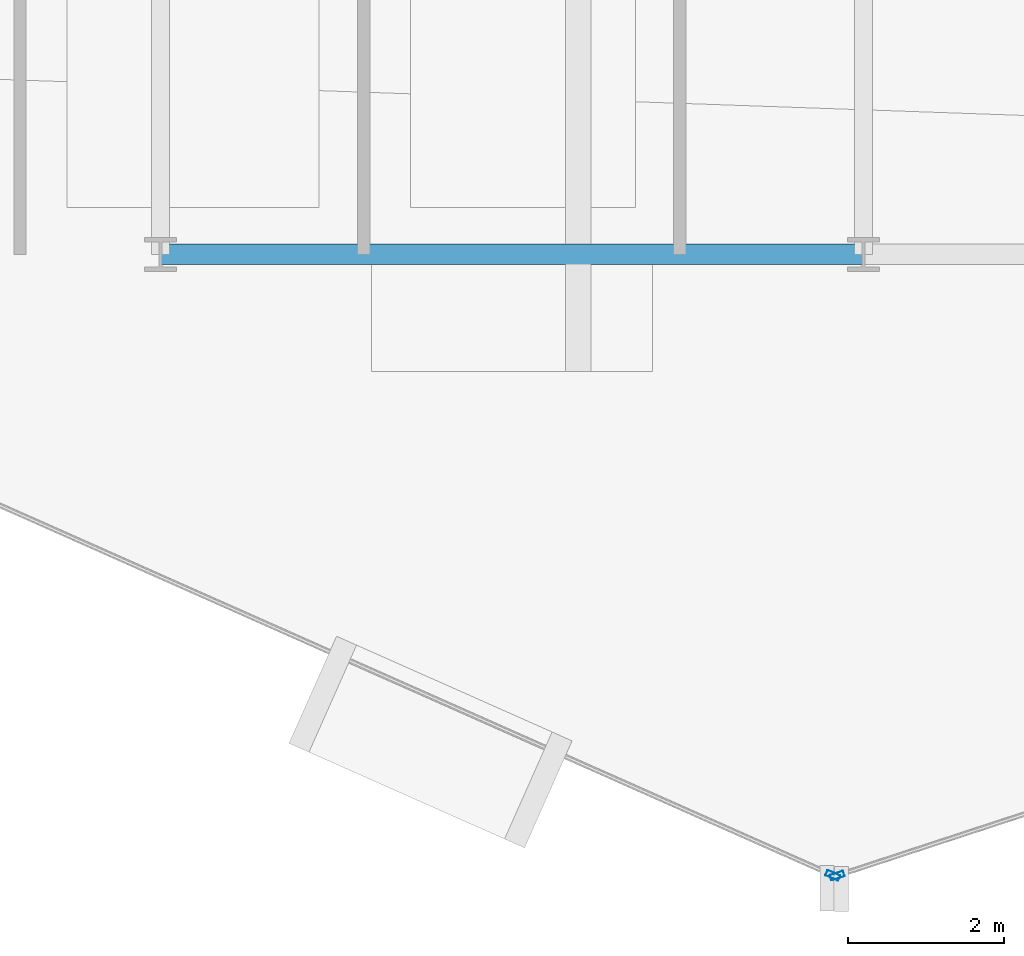
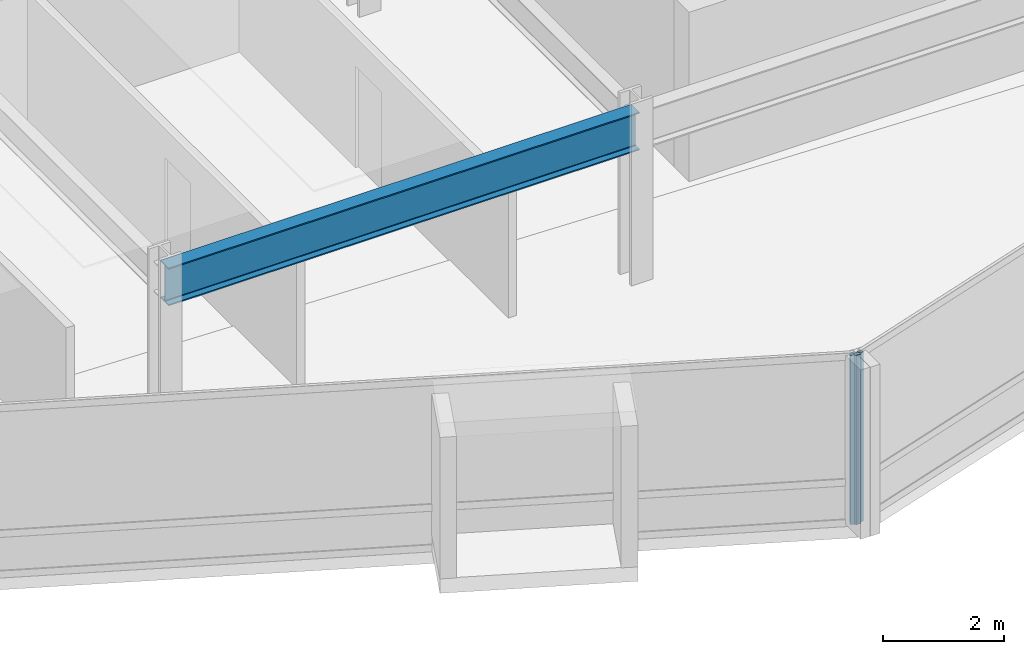
# One storey, part 4 of 28: 2 members, 1 beam, 2 elements without a shape of their own.
"""IFC4 building model written with IfcOpenShell, lengths in metres."""

from ifc_helpers import new_model, si_unit, direction, frame, origin, origin_2d, place, context, subcontext, project, spatial, hollow_rectangle, i_section, extrude, material, layer, layer_set, material_profile, profile_set, type_object, element, aggregate, save


model = new_model("IFC4")

# Units and contexts
model_context = context("Model", 3, precision=1e-05, world=origin(), true_north=direction((0.0, 1.0)))
body_context = subcontext(model_context, "Body", "Model", "MODEL_VIEW")
ifc_project = project(units=[si_unit("LENGTHUNIT", "METRE"), si_unit("AREAUNIT", "SQUARE_METRE"), si_unit("VOLUMEUNIT", "CUBIC_METRE"), si_unit("PLANEANGLEUNIT", "RADIAN"), si_unit("MASSUNIT", "GRAM", prefix="KILO")], contexts=[model_context])

# Site, building, storey
site_placement = place(None, origin())
site = spatial("IfcSite", under=ifc_project, at=site_placement, CompositionType="ELEMENT")
building_placement = place(site_placement, origin())
building = spatial("IfcBuilding", under=site, at=building_placement, Name="Solvaryn Broadcast Tower", CompositionType="ELEMENT")
storey_placement = place(building_placement, frame((0.0, 0.0, 150.699951171875)))
storey = spatial("IfcBuildingStorey", under=building, at=storey_placement, Name="L37", CompositionType="ELEMENT", Elevation=150.699951171875)

# Beam
ifc_material_1 = material(Name="Steel ASTM A992 Grade 50", Category="steel")
ifc_material_profile_1 = material_profile(ifc_material_1, i_section(OverallWidth=0.26708984375, OverallDepth=0.76611328125, WebThickness=0.014892578125, FlangeThickness=0.023681640625, FilletRadius=0.01806640625, at=origin_2d()))
ifc_profile_set_1 = profile_set([ifc_material_profile_1], Name="Steel ASTM A992 Grade 50")
beam_type = type_object("IfcBeamType", Name="BM-SP2-W30X124", PredefinedType="USERDEFINED", material=ifc_profile_set_1)
beam_placement = place(storey_placement, frame((18.0, 9.0, 3.037109375), z_axis=(1.0, 0.0, 0.0), x_axis=(0.0, 1.0, 0.0)))
element("IfcBeam", 1, at=beam_placement, inside=storey, type_object=beam_type, Name="L37 Spandrel Beam X (18-27 @ Y=9)", ObjectType="SPANDREL", PredefinedType="USERDEFINED", context=body_context, shape_type="SweptSolid", body=[
    extrude(i_section(OverallWidth=0.26708984375, OverallDepth=0.76611328125, WebThickness=0.014892578125, FlangeThickness=0.023681640625, FilletRadius=0.01806640625, at=origin_2d()), origin(), (0.0, 0.0, 1.0), 9.0),
])

# Curtain wall, member
ifc_material_2 = material(Name="Aluminium and Terracotta Unitised Curtain Wall", Category="masonry")
ifc_layer = layer(ifc_material_2, 0.199951171875)
ifc_layer_set = layer_set([ifc_layer], Name="CW-SYS2-LOWMID")
curtain_wall_type = type_object("IfcCurtainWallType", Name="CW-SYS2-LOWMID", PredefinedType="NOTDEFINED", material=ifc_layer_set)
curtain_wall_1_placement = place(storey_placement, origin())
curtain_wall_1 = element("IfcCurtainWall", 2, at=curtain_wall_1_placement, inside=storey, type_object=curtain_wall_type, Name="L37 Curtain Wall DR3", PredefinedType="NOTDEFINED")
ifc_material_3 = material(Name="Anodised Aluminium 6063-T6", Category="aluminium")
ifc_material_profile_2 = material_profile(ifc_material_3, hollow_rectangle(XDim=0.074951171875, YDim=0.179931640625, WallThickness=0.00390625, InnerFilletRadius=0.00390625, OuterFilletRadius=0.008056640625, at=origin_2d()))
ifc_profile_set_2 = profile_set([ifc_material_profile_2], Name="Anodised Aluminium 6063-T6")
member_type = type_object("IfcMemberType", Name="CW-MUL-180", PredefinedType="MULLION", material=ifc_profile_set_2)
member_1_placement = place(storey_placement, frame((26.608642578125, 1.046142578125, 0.0), z_axis=(0.0, 0.0, 1.0), x_axis=(0.405918429309, 0.913909311008, 0.0)))
member_1 = element("IfcMember", 3, at=member_1_placement, type_object=member_type, Name="CWS2 mullion 2", PredefinedType="MULLION", context=body_context, shape_type="SweptSolid", body=[
    extrude(hollow_rectangle(XDim=0.074951171875, YDim=0.179931640625, WallThickness=0.00390625, InnerFilletRadius=0.00390625, OuterFilletRadius=0.008056640625, at=origin_2d()), origin(), (0.0, 0.0, 1.0), 3.420166015625),
])
aggregate(curtain_wall_1, [member_1])

curtain_wall_2_placement = place(storey_placement, origin())
curtain_wall_2 = element("IfcCurtainWall", 4, at=curtain_wall_2_placement, inside=storey, type_object=curtain_wall_type, Name="L37 Curtain Wall DR4", PredefinedType="NOTDEFINED")
member_2_placement = place(storey_placement, frame((26.66455078125, 1.04345703125, 0.0), z_axis=(0.0, 0.0, 1.0), x_axis=(-0.311646057547, 0.950198260794, 0.0)))
member_2 = element("IfcMember", 5, at=member_2_placement, type_object=member_type, Name="CWS2 mullion 1", PredefinedType="MULLION", context=body_context, shape_type="SweptSolid", body=[
    extrude(hollow_rectangle(XDim=0.074951171875, YDim=0.179931640625, WallThickness=0.00390625, InnerFilletRadius=0.00390625, OuterFilletRadius=0.008056640625, at=origin_2d()), origin(), (0.0, 0.0, 1.0), 3.420166015625),
])
aggregate(curtain_wall_2, [member_2])

save(model, "model.ifc")
